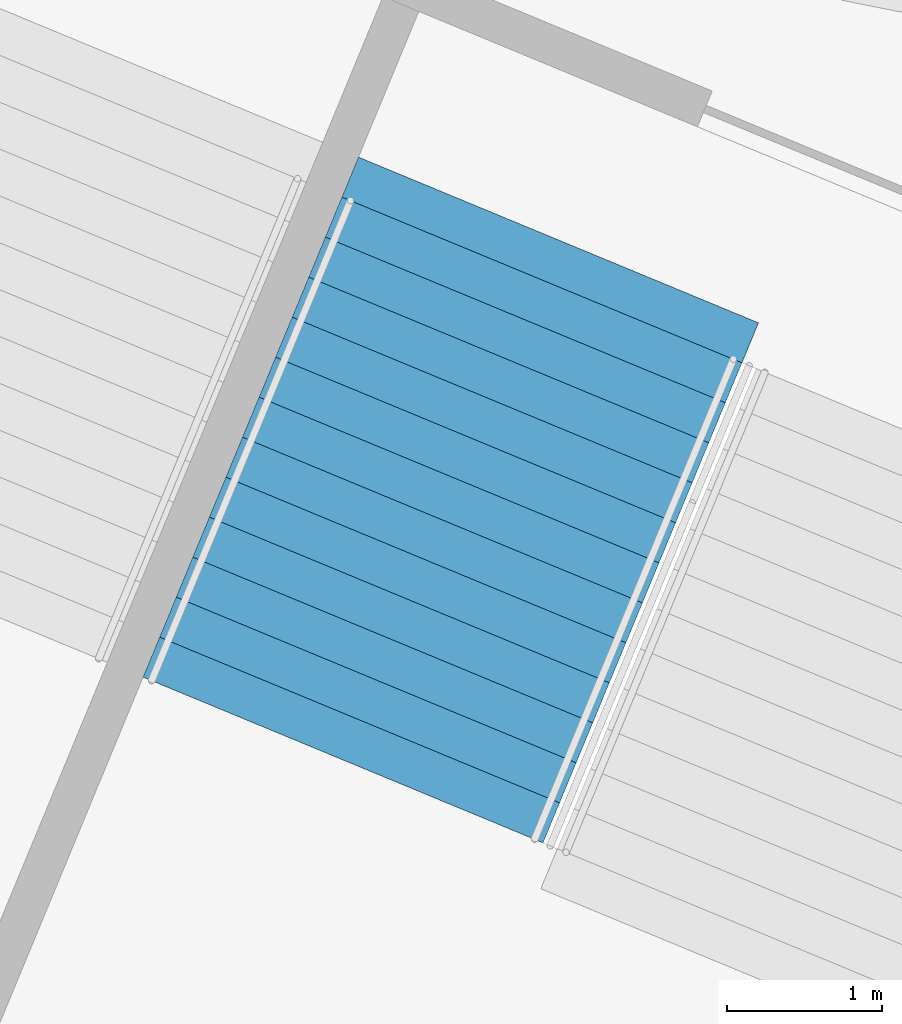
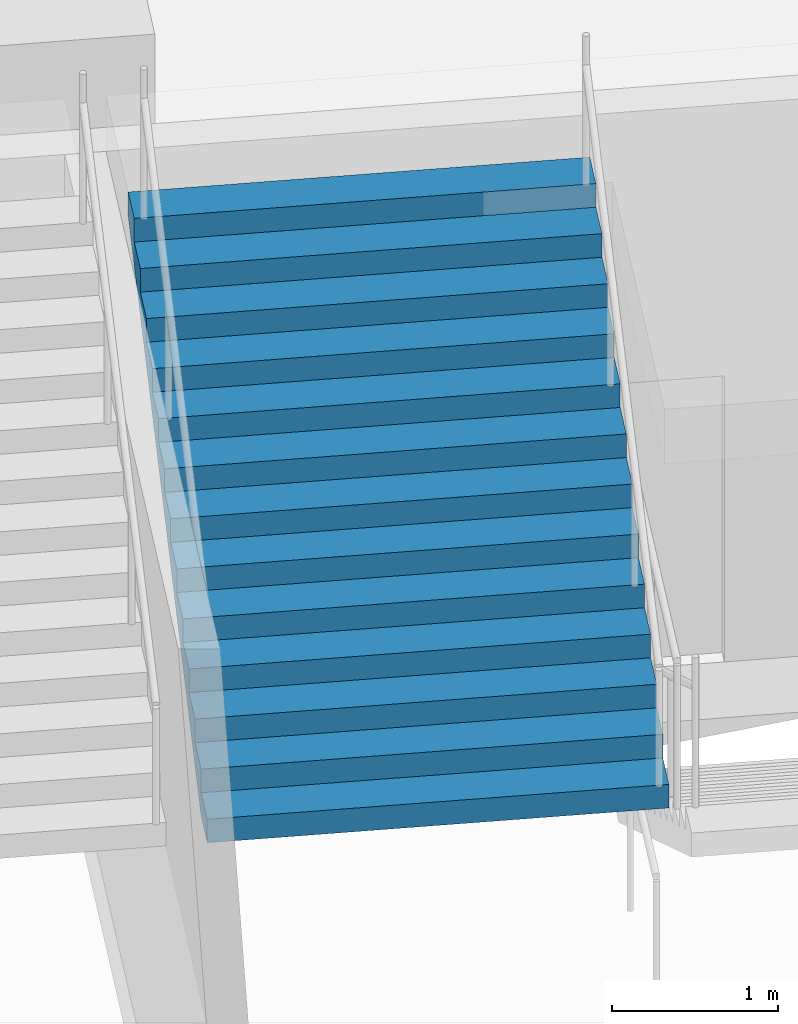
# One storey, part 132 of 249: 1 stair flight, 1 element without a shape of its own.
"""IFC4 building model written with IfcOpenShell, lengths in metres."""

from ifc_helpers import new_model, si_unit, direction, frame, origin, place, context, subcontext, project, spatial, faceted_brep, material, type_object, element, aggregate, save


model = new_model("IFC4")

# Units and contexts
model_context = context("Model", 3, precision=1e-05, world=origin(), true_north=direction((0.0, 1.0)))
body_context = subcontext(model_context, "Body", "Model", "MODEL_VIEW")
ifc_project = project(units=[si_unit("LENGTHUNIT", "METRE"), si_unit("AREAUNIT", "SQUARE_METRE"), si_unit("VOLUMEUNIT", "CUBIC_METRE"), si_unit("PLANEANGLEUNIT", "RADIAN"), si_unit("MASSUNIT", "GRAM", prefix="KILO")], contexts=[model_context])

# Site, building, storey
site_placement = place(None, origin())
site = spatial("IfcSite", under=ifc_project, at=site_placement, CompositionType="ELEMENT")
building_placement = place(site_placement, origin())
building = spatial("IfcBuilding", under=site, at=building_placement, Name="Ogive Plaza Stadium", CompositionType="ELEMENT")
storey_placement = place(building_placement, frame((0.0, 0.0, 13.5)))
storey = spatial("IfcBuildingStorey", under=building, at=storey_placement, Name="L03", CompositionType="ELEMENT", Elevation=13.5)

# Stair, stair flight
ifc_material_1 = material(Name="Concrete C40/50", Category="concrete")
stair_type = type_object("IfcStairType", Name="Exit stair", PredefinedType="STRAIGHT_RUN_STAIR", material=ifc_material_1)
stair_placement = place(storey_placement, origin())
stair = element("IfcStair", 1, at=stair_placement, inside=storey, type_object=stair_type, Name="Exit stair ST18B L03 to L04", PredefinedType="STRAIGHT_RUN_STAIR")
ifc_material_2 = material(Name="Concrete C40/50", Category="concrete")
stair_flight_type = type_object("IfcStairFlightType", Name="Exit stair flight", PredefinedType="STRAIGHT", material=ifc_material_2)
stair_flight_placement = place(storey_placement, frame((-50.08349609375, -95.314208984375, 2.25), z_axis=(0.0, 0.0, 1.0), x_axis=(0.382683432365, 0.923879532511, 0.0)))
stair_flight = element("IfcStairFlight", 2, at=stair_flight_placement, type_object=stair_flight_type, Name="ST18B flight 2", NumberOfRisers=13, NumberOfTreads=12, PredefinedType="STRAIGHT", RiserHeight=0.173076923, TreadLength=0.28, context=body_context, shape_type="Brep", body=[
    faceted_brep([(0.28515625, -1.39990234375, 0.0), (3.639892578125, -1.39990234375, 2.07373046875), (3.639892578125, -1.39990234375, 2.25), (3.360107421875, -1.39990234375, 2.25), (3.360107421875, -1.39990234375, 2.076904296875), (3.080078125, -1.39990234375, 2.076904296875), (3.080078125, -1.39990234375, 1.90380859375), (2.800048828125, -1.39990234375, 1.90380859375), (2.800048828125, -1.39990234375, 1.730712890625), (2.52001953125, -1.39990234375, 1.730712890625), (2.52001953125, -1.39990234375, 1.5576171875), (2.239990234375, -1.39990234375, 1.5576171875), (2.239990234375, -1.39990234375, 1.384521484375), (1.9599609375, -1.39990234375, 1.384521484375), (1.9599609375, -1.39990234375, 1.21142578125), (1.679931640625, -1.39990234375, 1.21142578125), (1.679931640625, -1.39990234375, 1.03857421875), (1.39990234375, -1.39990234375, 1.03857421875), (1.39990234375, -1.39990234375, 0.865478515625), (1.1201171875, -1.39990234375, 0.865478515625), (1.1201171875, -1.39990234375, 0.6923828125), (0.840087890625, -1.39990234375, 0.6923828125), (0.840087890625, -1.39990234375, 0.519287109375), (0.56005859375, -1.39990234375, 0.519287109375), (0.56005859375, -1.39990234375, 0.34619140625), (0.280029296875, -1.39990234375, 0.34619140625), (0.280029296875, -1.39990234375, 0.173095703125), (0.0, -1.39990234375, 0.173095703125), (0.0, -1.39990234375, 0.0), (0.0, 1.39990234375, 0.0), (0.0, 1.39990234375, 0.173095703125), (0.280029296875, 1.39990234375, 0.173095703125), (0.280029296875, 1.39990234375, 0.34619140625), (0.56005859375, 1.39990234375, 0.34619140625), (0.56005859375, 1.39990234375, 0.519287109375), (0.840087890625, 1.39990234375, 0.519287109375), (0.840087890625, 1.39990234375, 0.6923828125), (1.1201171875, 1.39990234375, 0.6923828125), (1.1201171875, 1.39990234375, 0.865478515625), (1.39990234375, 1.39990234375, 0.865478515625), (1.39990234375, 1.39990234375, 1.03857421875), (1.679931640625, 1.39990234375, 1.03857421875), (1.679931640625, 1.39990234375, 1.21142578125), (1.9599609375, 1.39990234375, 1.21142578125), (1.9599609375, 1.39990234375, 1.384521484375), (2.239990234375, 1.39990234375, 1.384521484375), (2.239990234375, 1.39990234375, 1.5576171875), (2.52001953125, 1.39990234375, 1.5576171875), (2.52001953125, 1.39990234375, 1.730712890625), (2.800048828125, 1.39990234375, 1.730712890625), (2.800048828125, 1.39990234375, 1.90380859375), (3.080078125, 1.39990234375, 1.90380859375), (3.080078125, 1.39990234375, 2.076904296875), (3.360107421875, 1.39990234375, 2.076904296875), (3.360107421875, 1.39990234375, 2.25), (3.639892578125, 1.39990234375, 2.25), (3.639892578125, 1.39990234375, 2.07373046875), (0.28515625, 1.39990234375, 0.0), (0.28515625, -1.0888671875, 0.0), (3.639892578125, -1.0888671875, 2.07373046875), (0.28515625, -0.77783203125, 0.0), (3.639892578125, -0.77783203125, 2.07373046875), (0.28515625, -0.466796875, 0.0), (3.639892578125, -0.466796875, 2.07373046875), (0.28515625, -0.155517578125, 0.0), (3.639892578125, -0.155517578125, 2.07373046875), (0.28515625, 0.155517578125, 0.0), (3.639892578125, 0.155517578125, 2.07373046875), (0.28515625, 0.466796875, 0.0), (3.639892578125, 0.466796875, 2.07373046875), (0.28515625, 0.77783203125, 0.0), (3.639892578125, 0.77783203125, 2.07373046875), (0.28515625, 1.0888671875, 0.0), (3.639892578125, 1.0888671875, 2.07373046875), (3.639892578125, -1.0888671875, 2.25), (3.639892578125, -0.77783203125, 2.25), (3.639892578125, -0.466796875, 2.25), (3.639892578125, -0.155517578125, 2.25), (3.639892578125, 0.155517578125, 2.25), (3.639892578125, 0.466796875, 2.25), (3.639892578125, 0.77783203125, 2.25), (3.639892578125, 1.0888671875, 2.25), (3.360107421875, -1.0888671875, 2.25), (3.360107421875, -0.77783203125, 2.25), (3.360107421875, -0.466796875, 2.25), (3.360107421875, -0.155517578125, 2.25), (3.360107421875, 0.155517578125, 2.25), (3.360107421875, 0.466796875, 2.25), (3.360107421875, 0.77783203125, 2.25), (3.360107421875, 1.0888671875, 2.25), (3.360107421875, -1.0888671875, 2.076904296875), (3.360107421875, -0.77783203125, 2.076904296875), (3.360107421875, -0.466796875, 2.076904296875), (3.360107421875, -0.155517578125, 2.076904296875), (3.360107421875, 0.155517578125, 2.076904296875), (3.360107421875, 0.466796875, 2.076904296875), (3.360107421875, 0.77783203125, 2.076904296875), (3.360107421875, 1.0888671875, 2.076904296875), (3.080078125, -1.0888671875, 2.076904296875), (3.080078125, -0.77783203125, 2.076904296875), (3.080078125, -0.466796875, 2.076904296875), (3.080078125, -0.155517578125, 2.076904296875), (3.080078125, 0.155517578125, 2.076904296875), (3.080078125, 0.466796875, 2.076904296875), (3.080078125, 0.77783203125, 2.076904296875), (3.080078125, 1.0888671875, 2.076904296875), (3.080078125, -1.0888671875, 1.90380859375), (3.080078125, -0.77783203125, 1.90380859375), (3.080078125, -0.466796875, 1.90380859375), (3.080078125, -0.155517578125, 1.90380859375), (3.080078125, 0.155517578125, 1.90380859375), (3.080078125, 0.466796875, 1.90380859375), (3.080078125, 0.77783203125, 1.90380859375), (3.080078125, 1.0888671875, 1.90380859375), (2.800048828125, -1.0888671875, 1.90380859375), (2.800048828125, -0.77783203125, 1.90380859375), (2.800048828125, -0.466796875, 1.90380859375), (2.800048828125, -0.155517578125, 1.90380859375), (2.800048828125, 0.155517578125, 1.90380859375), (2.800048828125, 0.466796875, 1.90380859375), (2.800048828125, 0.77783203125, 1.90380859375), (2.800048828125, 1.0888671875, 1.90380859375), (2.800048828125, -1.0888671875, 1.730712890625), (2.800048828125, -0.77783203125, 1.730712890625), (2.800048828125, -0.466796875, 1.730712890625), (2.800048828125, -0.155517578125, 1.730712890625), (2.800048828125, 0.155517578125, 1.730712890625), (2.800048828125, 0.466796875, 1.730712890625), (2.800048828125, 0.77783203125, 1.730712890625), (2.800048828125, 1.0888671875, 1.730712890625), (2.52001953125, -1.0888671875, 1.730712890625), (2.52001953125, -0.77783203125, 1.730712890625), (2.52001953125, -0.466796875, 1.730712890625), (2.52001953125, -0.155517578125, 1.730712890625), (2.52001953125, 0.155517578125, 1.730712890625), (2.52001953125, 0.466796875, 1.730712890625), (2.52001953125, 0.77783203125, 1.730712890625), (2.52001953125, 1.0888671875, 1.730712890625), (2.52001953125, -1.0888671875, 1.5576171875), (2.52001953125, -0.77783203125, 1.5576171875), (2.52001953125, -0.466796875, 1.5576171875), (2.52001953125, -0.155517578125, 1.5576171875), (2.52001953125, 0.155517578125, 1.5576171875), (2.52001953125, 0.466796875, 1.5576171875), (2.52001953125, 0.77783203125, 1.5576171875), (2.52001953125, 1.0888671875, 1.5576171875), (2.239990234375, -1.0888671875, 1.5576171875), (2.239990234375, -0.77783203125, 1.5576171875), (2.239990234375, -0.466796875, 1.5576171875), (2.239990234375, -0.155517578125, 1.5576171875), (2.239990234375, 0.155517578125, 1.5576171875), (2.239990234375, 0.466796875, 1.5576171875), (2.239990234375, 0.77783203125, 1.5576171875), (2.239990234375, 1.0888671875, 1.5576171875), (2.239990234375, -1.0888671875, 1.384521484375), (2.239990234375, -0.77783203125, 1.384521484375), (2.239990234375, -0.466796875, 1.384521484375), (2.239990234375, -0.155517578125, 1.384521484375), (2.239990234375, 0.155517578125, 1.384521484375), (2.239990234375, 0.466796875, 1.384521484375), (2.239990234375, 0.77783203125, 1.384521484375), (2.239990234375, 1.0888671875, 1.384521484375), (1.9599609375, -1.0888671875, 1.384521484375), (1.9599609375, -0.77783203125, 1.384521484375), (1.9599609375, -0.466796875, 1.384521484375), (1.9599609375, -0.155517578125, 1.384521484375), (1.9599609375, 0.155517578125, 1.384521484375), (1.9599609375, 0.466796875, 1.384521484375), (1.9599609375, 0.77783203125, 1.384521484375), (1.9599609375, 1.0888671875, 1.384521484375), (1.9599609375, -1.0888671875, 1.21142578125), (1.9599609375, -0.77783203125, 1.21142578125), (1.9599609375, -0.466796875, 1.21142578125), (1.9599609375, -0.155517578125, 1.21142578125), (1.9599609375, 0.155517578125, 1.21142578125), (1.9599609375, 0.466796875, 1.21142578125), (1.9599609375, 0.77783203125, 1.21142578125), (1.9599609375, 1.0888671875, 1.21142578125), (1.679931640625, -1.0888671875, 1.21142578125), (1.679931640625, -0.77783203125, 1.21142578125), (1.679931640625, -0.466796875, 1.21142578125), (1.679931640625, -0.155517578125, 1.21142578125), (1.679931640625, 0.155517578125, 1.21142578125), (1.679931640625, 0.466796875, 1.21142578125), (1.679931640625, 0.77783203125, 1.21142578125), (1.679931640625, 1.0888671875, 1.21142578125), (1.679931640625, -1.0888671875, 1.03857421875), (1.679931640625, -0.77783203125, 1.03857421875), (1.679931640625, -0.466796875, 1.03857421875), (1.679931640625, -0.155517578125, 1.03857421875), (1.679931640625, 0.155517578125, 1.03857421875), (1.679931640625, 0.466796875, 1.03857421875), (1.679931640625, 0.77783203125, 1.03857421875), (1.679931640625, 1.0888671875, 1.03857421875), (1.39990234375, -1.0888671875, 1.03857421875), (1.39990234375, -0.77783203125, 1.03857421875), (1.39990234375, -0.466796875, 1.03857421875), (1.39990234375, -0.155517578125, 1.03857421875), (1.39990234375, 0.155517578125, 1.03857421875), (1.39990234375, 0.466796875, 1.03857421875), (1.39990234375, 0.77783203125, 1.03857421875), (1.39990234375, 1.0888671875, 1.03857421875), (1.39990234375, -1.0888671875, 0.865478515625), (1.39990234375, -0.77783203125, 0.865478515625), (1.39990234375, -0.466796875, 0.865478515625), (1.39990234375, -0.155517578125, 0.865478515625), (1.39990234375, 0.155517578125, 0.865478515625), (1.39990234375, 0.466796875, 0.865478515625), (1.39990234375, 0.77783203125, 0.865478515625), (1.39990234375, 1.0888671875, 0.865478515625), (1.1201171875, -1.0888671875, 0.865478515625), (1.1201171875, -0.77783203125, 0.865478515625), (1.1201171875, -0.466796875, 0.865478515625), (1.1201171875, -0.155517578125, 0.865478515625), (1.1201171875, 0.155517578125, 0.865478515625), (1.1201171875, 0.466796875, 0.865478515625), (1.1201171875, 0.77783203125, 0.865478515625), (1.1201171875, 1.0888671875, 0.865478515625), (1.1201171875, -1.0888671875, 0.6923828125), (1.1201171875, -0.77783203125, 0.6923828125), (1.1201171875, -0.466796875, 0.6923828125), (1.1201171875, -0.155517578125, 0.6923828125), (1.1201171875, 0.155517578125, 0.6923828125), (1.1201171875, 0.466796875, 0.6923828125), (1.1201171875, 0.77783203125, 0.6923828125), (1.1201171875, 1.0888671875, 0.6923828125), (0.840087890625, -1.0888671875, 0.6923828125), (0.840087890625, -0.77783203125, 0.6923828125), (0.840087890625, -0.466796875, 0.6923828125), (0.840087890625, -0.155517578125, 0.6923828125), (0.840087890625, 0.155517578125, 0.6923828125), (0.840087890625, 0.466796875, 0.6923828125), (0.840087890625, 0.77783203125, 0.6923828125), (0.840087890625, 1.0888671875, 0.6923828125), (0.840087890625, -1.0888671875, 0.519287109375), (0.840087890625, -0.77783203125, 0.519287109375), (0.840087890625, -0.466796875, 0.519287109375), (0.840087890625, -0.155517578125, 0.519287109375), (0.840087890625, 0.155517578125, 0.519287109375), (0.840087890625, 0.466796875, 0.519287109375), (0.840087890625, 0.77783203125, 0.519287109375), (0.840087890625, 1.0888671875, 0.519287109375), (0.56005859375, -1.0888671875, 0.519287109375), (0.56005859375, -0.77783203125, 0.519287109375), (0.56005859375, -0.466796875, 0.519287109375), (0.56005859375, -0.155517578125, 0.519287109375), (0.56005859375, 0.155517578125, 0.519287109375), (0.56005859375, 0.466796875, 0.519287109375), (0.56005859375, 0.77783203125, 0.519287109375), (0.56005859375, 1.0888671875, 0.519287109375), (0.56005859375, -1.0888671875, 0.34619140625), (0.56005859375, -0.77783203125, 0.34619140625), (0.56005859375, -0.466796875, 0.34619140625), (0.56005859375, -0.155517578125, 0.34619140625), (0.56005859375, 0.155517578125, 0.34619140625), (0.56005859375, 0.466796875, 0.34619140625), (0.56005859375, 0.77783203125, 0.34619140625), (0.56005859375, 1.0888671875, 0.34619140625), (0.280029296875, -1.0888671875, 0.34619140625), (0.280029296875, -0.77783203125, 0.34619140625), (0.280029296875, -0.466796875, 0.34619140625), (0.280029296875, -0.155517578125, 0.34619140625), (0.280029296875, 0.155517578125, 0.34619140625), (0.280029296875, 0.466796875, 0.34619140625), (0.280029296875, 0.77783203125, 0.34619140625), (0.280029296875, 1.0888671875, 0.34619140625), (0.280029296875, -1.0888671875, 0.173095703125), (0.280029296875, -0.77783203125, 0.173095703125), (0.280029296875, -0.466796875, 0.173095703125), (0.280029296875, -0.155517578125, 0.173095703125), (0.280029296875, 0.155517578125, 0.173095703125), (0.280029296875, 0.466796875, 0.173095703125), (0.280029296875, 0.77783203125, 0.173095703125), (0.280029296875, 1.0888671875, 0.173095703125), (0.0, -1.0888671875, 0.173095703125), (0.0, -0.77783203125, 0.173095703125), (0.0, -0.466796875, 0.173095703125), (0.0, -0.155517578125, 0.173095703125), (0.0, 0.155517578125, 0.173095703125), (0.0, 0.466796875, 0.173095703125), (0.0, 0.77783203125, 0.173095703125), (0.0, 1.0888671875, 0.173095703125), (0.0, -1.0888671875, 0.0), (0.0, -0.77783203125, 0.0), (0.0, -0.466796875, 0.0), (0.0, -0.155517578125, 0.0), (0.0, 0.155517578125, 0.0), (0.0, 0.466796875, 0.0), (0.0, 0.77783203125, 0.0), (0.0, 1.0888671875, 0.0)], [[[0, 1, 2, 3, 4, 5, 6, 7, 8, 9, 10, 11, 12, 13, 14, 15, 16, 17, 18, 19, 20, 21, 22, 23, 24, 25, 26, 27, 28]], [[29, 30, 31, 32, 33, 34, 35, 36, 37, 38, 39, 40, 41, 42, 43, 44, 45, 46, 47, 48, 49, 50, 51, 52, 53, 54, 55, 56, 57]], [[0, 58, 59, 1]], [[58, 60, 61, 59]], [[60, 62, 63, 61]], [[62, 64, 65, 63]], [[64, 66, 67, 65]], [[66, 68, 69, 67]], [[68, 70, 71, 69]], [[70, 72, 73, 71]], [[72, 57, 56, 73]], [[1, 59, 74, 2]], [[59, 61, 75, 74]], [[61, 63, 76, 75]], [[63, 65, 77, 76]], [[65, 67, 78, 77]], [[67, 69, 79, 78]], [[69, 71, 80, 79]], [[71, 73, 81, 80]], [[73, 56, 55, 81]], [[2, 74, 82, 3]], [[74, 75, 83, 82]], [[75, 76, 84, 83]], [[76, 77, 85, 84]], [[77, 78, 86, 85]], [[78, 79, 87, 86]], [[79, 80, 88, 87]], [[80, 81, 89, 88]], [[81, 55, 54, 89]], [[3, 82, 90, 4]], [[82, 83, 91, 90]], [[83, 84, 92, 91]], [[84, 85, 93, 92]], [[85, 86, 94, 93]], [[86, 87, 95, 94]], [[87, 88, 96, 95]], [[88, 89, 97, 96]], [[89, 54, 53, 97]], [[4, 90, 98, 5]], [[90, 91, 99, 98]], [[91, 92, 100, 99]], [[92, 93, 101, 100]], [[93, 94, 102, 101]], [[94, 95, 103, 102]], [[95, 96, 104, 103]], [[96, 97, 105, 104]], [[97, 53, 52, 105]], [[5, 98, 106, 6]], [[98, 99, 107, 106]], [[99, 100, 108, 107]], [[100, 101, 109, 108]], [[101, 102, 110, 109]], [[102, 103, 111, 110]], [[103, 104, 112, 111]], [[104, 105, 113, 112]], [[105, 52, 51, 113]], [[6, 106, 114, 7]], [[106, 107, 115, 114]], [[107, 108, 116, 115]], [[108, 109, 117, 116]], [[109, 110, 118, 117]], [[110, 111, 119, 118]], [[111, 112, 120, 119]], [[112, 113, 121, 120]], [[113, 51, 50, 121]], [[7, 114, 122, 8]], [[114, 115, 123, 122]], [[115, 116, 124, 123]], [[116, 117, 125, 124]], [[117, 118, 126, 125]], [[118, 119, 127, 126]], [[119, 120, 128, 127]], [[120, 121, 129, 128]], [[121, 50, 49, 129]], [[8, 122, 130, 9]], [[122, 123, 131, 130]], [[123, 124, 132, 131]], [[124, 125, 133, 132]], [[125, 126, 134, 133]], [[126, 127, 135, 134]], [[127, 128, 136, 135]], [[128, 129, 137, 136]], [[129, 49, 48, 137]], [[9, 130, 138, 10]], [[130, 131, 139, 138]], [[131, 132, 140, 139]], [[132, 133, 141, 140]], [[133, 134, 142, 141]], [[134, 135, 143, 142]], [[135, 136, 144, 143]], [[136, 137, 145, 144]], [[137, 48, 47, 145]], [[10, 138, 146, 11]], [[138, 139, 147, 146]], [[139, 140, 148, 147]], [[140, 141, 149, 148]], [[141, 142, 150, 149]], [[142, 143, 151, 150]], [[143, 144, 152, 151]], [[144, 145, 153, 152]], [[145, 47, 46, 153]], [[11, 146, 154, 12]], [[146, 147, 155, 154]], [[147, 148, 156, 155]], [[148, 149, 157, 156]], [[149, 150, 158, 157]], [[150, 151, 159, 158]], [[151, 152, 160, 159]], [[152, 153, 161, 160]], [[153, 46, 45, 161]], [[12, 154, 162, 13]], [[154, 155, 163, 162]], [[155, 156, 164, 163]], [[156, 157, 165, 164]], [[157, 158, 166, 165]], [[158, 159, 167, 166]], [[159, 160, 168, 167]], [[160, 161, 169, 168]], [[161, 45, 44, 169]], [[13, 162, 170, 14]], [[162, 163, 171, 170]], [[163, 164, 172, 171]], [[164, 165, 173, 172]], [[165, 166, 174, 173]], [[166, 167, 175, 174]], [[167, 168, 176, 175]], [[168, 169, 177, 176]], [[169, 44, 43, 177]], [[14, 170, 178, 15]], [[170, 171, 179, 178]], [[171, 172, 180, 179]], [[172, 173, 181, 180]], [[173, 174, 182, 181]], [[174, 175, 183, 182]], [[175, 176, 184, 183]], [[176, 177, 185, 184]], [[177, 43, 42, 185]], [[15, 178, 186, 16]], [[178, 179, 187, 186]], [[179, 180, 188, 187]], [[180, 181, 189, 188]], [[181, 182, 190, 189]], [[182, 183, 191, 190]], [[183, 184, 192, 191]], [[184, 185, 193, 192]], [[185, 42, 41, 193]], [[16, 186, 194, 17]], [[186, 187, 195, 194]], [[187, 188, 196, 195]], [[188, 189, 197, 196]], [[189, 190, 198, 197]], [[190, 191, 199, 198]], [[191, 192, 200, 199]], [[192, 193, 201, 200]], [[193, 41, 40, 201]], [[17, 194, 202, 18]], [[194, 195, 203, 202]], [[195, 196, 204, 203]], [[196, 197, 205, 204]], [[197, 198, 206, 205]], [[198, 199, 207, 206]], [[199, 200, 208, 207]], [[200, 201, 209, 208]], [[201, 40, 39, 209]], [[18, 202, 210, 19]], [[202, 203, 211, 210]], [[203, 204, 212, 211]], [[204, 205, 213, 212]], [[205, 206, 214, 213]], [[206, 207, 215, 214]], [[207, 208, 216, 215]], [[208, 209, 217, 216]], [[209, 39, 38, 217]], [[19, 210, 218, 20]], [[210, 211, 219, 218]], [[211, 212, 220, 219]], [[212, 213, 221, 220]], [[213, 214, 222, 221]], [[214, 215, 223, 222]], [[215, 216, 224, 223]], [[216, 217, 225, 224]], [[217, 38, 37, 225]], [[20, 218, 226, 21]], [[218, 219, 227, 226]], [[219, 220, 228, 227]], [[220, 221, 229, 228]], [[221, 222, 230, 229]], [[222, 223, 231, 230]], [[223, 224, 232, 231]], [[224, 225, 233, 232]], [[225, 37, 36, 233]], [[21, 226, 234, 22]], [[226, 227, 235, 234]], [[227, 228, 236, 235]], [[228, 229, 237, 236]], [[229, 230, 238, 237]], [[230, 231, 239, 238]], [[231, 232, 240, 239]], [[232, 233, 241, 240]], [[233, 36, 35, 241]], [[22, 234, 242, 23]], [[234, 235, 243, 242]], [[235, 236, 244, 243]], [[236, 237, 245, 244]], [[237, 238, 246, 245]], [[238, 239, 247, 246]], [[239, 240, 248, 247]], [[240, 241, 249, 248]], [[241, 35, 34, 249]], [[23, 242, 250, 24]], [[242, 243, 251, 250]], [[243, 244, 252, 251]], [[244, 245, 253, 252]], [[245, 246, 254, 253]], [[246, 247, 255, 254]], [[247, 248, 256, 255]], [[248, 249, 257, 256]], [[249, 34, 33, 257]], [[24, 250, 258, 25]], [[250, 251, 259, 258]], [[251, 252, 260, 259]], [[252, 253, 261, 260]], [[253, 254, 262, 261]], [[254, 255, 263, 262]], [[255, 256, 264, 263]], [[256, 257, 265, 264]], [[257, 33, 32, 265]], [[25, 258, 266, 26]], [[258, 259, 267, 266]], [[259, 260, 268, 267]], [[260, 261, 269, 268]], [[261, 262, 270, 269]], [[262, 263, 271, 270]], [[263, 264, 272, 271]], [[264, 265, 273, 272]], [[265, 32, 31, 273]], [[26, 266, 274, 27]], [[266, 267, 275, 274]], [[267, 268, 276, 275]], [[268, 269, 277, 276]], [[269, 270, 278, 277]], [[270, 271, 279, 278]], [[271, 272, 280, 279]], [[272, 273, 281, 280]], [[273, 31, 30, 281]], [[27, 274, 282, 28]], [[274, 275, 283, 282]], [[275, 276, 284, 283]], [[276, 277, 285, 284]], [[277, 278, 286, 285]], [[278, 279, 287, 286]], [[279, 280, 288, 287]], [[280, 281, 289, 288]], [[281, 30, 29, 289]], [[28, 282, 58, 0]], [[282, 283, 60, 58]], [[283, 284, 62, 60]], [[284, 285, 64, 62]], [[285, 286, 66, 64]], [[286, 287, 68, 66]], [[287, 288, 70, 68]], [[288, 289, 72, 70]], [[289, 29, 57, 72]]]),
])
aggregate(stair, [stair_flight])

save(model, "model.ifc")
